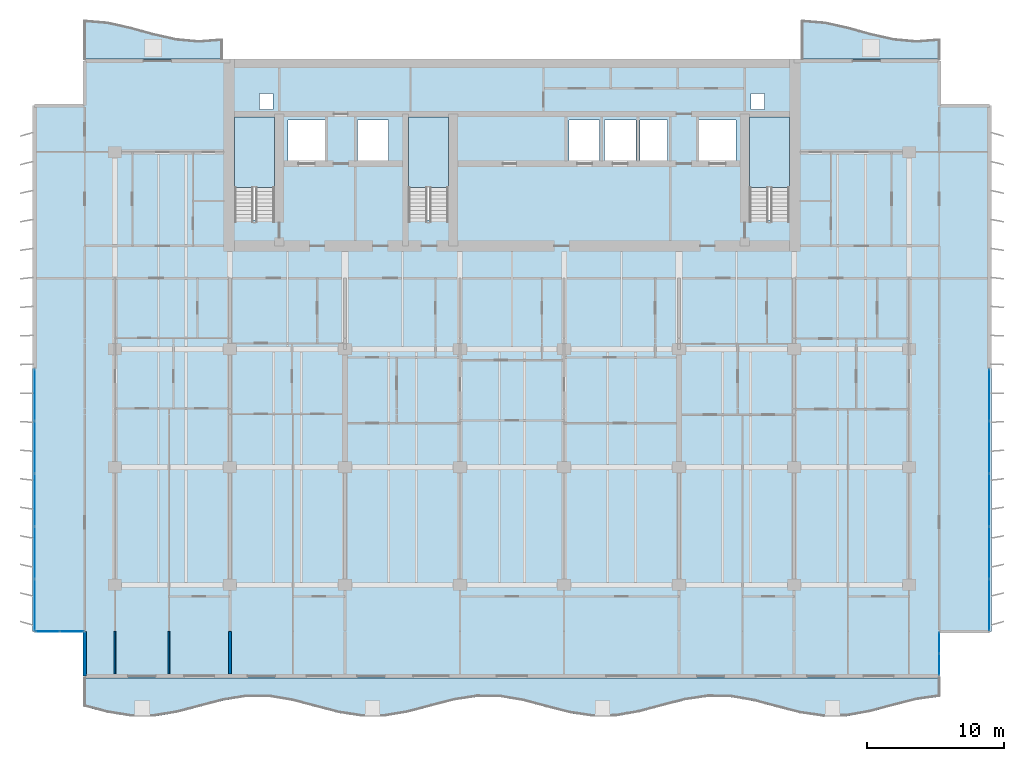
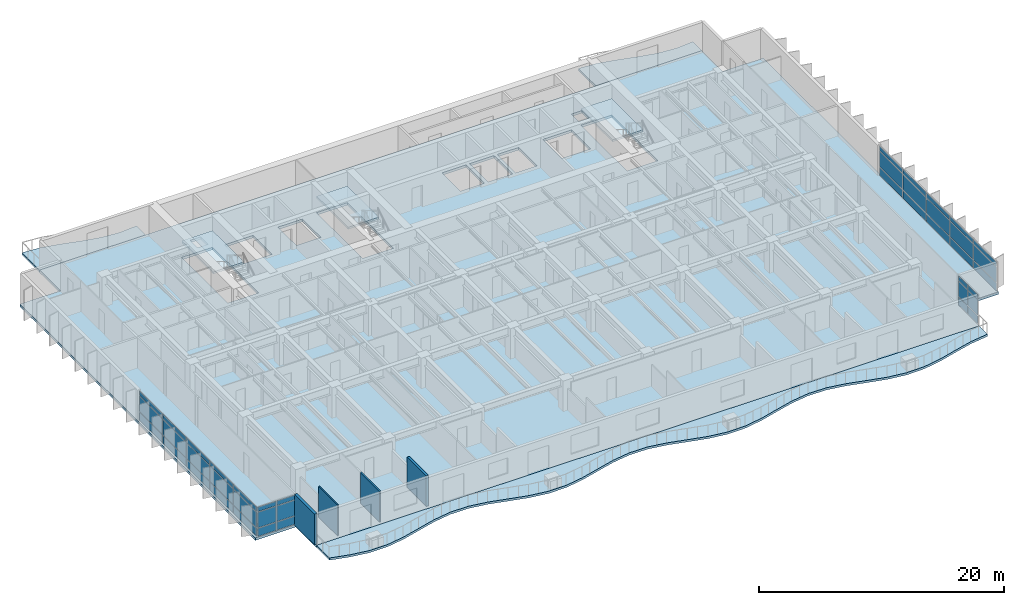
# One storey, part 5 of 16: 42 plates, 7 slabs, 4 walls, 7 elements without a shape of their own.
"""IFC4 building model written with IfcOpenShell, lengths in metres."""

from ifc_helpers import new_model, si_unit, direction, frame, frame_2d, origin, origin_2d, place, context, subcontext, project, spatial, polyline, rectangle, outline, extrude, material, layer, layer_set, type_object, element, aggregate, save


model = new_model("IFC4")

# Units and contexts
model_context = context("Model", 3, precision=1e-05, world=origin(), true_north=direction((0.0, 1.0)))
body_context = subcontext(model_context, "Body", "Model", "MODEL_VIEW")
ifc_project = project(units=[si_unit("LENGTHUNIT", "METRE"), si_unit("AREAUNIT", "SQUARE_METRE"), si_unit("VOLUMEUNIT", "CUBIC_METRE"), si_unit("PLANEANGLEUNIT", "RADIAN"), si_unit("MASSUNIT", "GRAM", prefix="KILO")], contexts=[model_context])

# Site, building, storey
site_placement = place(None, origin())
site = spatial("IfcSite", under=ifc_project, at=site_placement, CompositionType="ELEMENT")
building_placement = place(site_placement, origin())
building = spatial("IfcBuilding", under=site, at=building_placement, Name="Caelmar Bay Residences", CompositionType="ELEMENT")
storey_placement = place(building_placement, frame((0.0, 0.0, 102.60009765625)))
storey = spatial("IfcBuildingStorey", under=building, at=storey_placement, Name="L27", CompositionType="ELEMENT", Elevation=102.60009765625)

# Curtain wall, plates
ifc_material_1 = material(Name="Anodised bronze aluminium 6063-T6 and laminated glass", Category="aluminium")
ifc_layer_1 = layer(ifc_material_1, 0.179931640625)
ifc_layer_set_1 = layer_set([ifc_layer_1], Name="Anodised bronze aluminium 6063-T6 and laminated glass")
curtain_wall_type_1 = type_object("IfcCurtainWallType", Name="CW6-NTC", PredefinedType="NOTDEFINED", material=ifc_layer_set_1)
curtain_wall_1_placement = place(storey_placement, origin())
curtain_wall_1 = element("IfcCurtainWall", 1, at=curtain_wall_1_placement, inside=storey, type_object=curtain_wall_type_1, Name="CW6 curtain wall L27", PredefinedType="NOTDEFINED")
ifc_material_2 = material(Name="Bronze-tinted laminated low-E hurricane glass 28 mm", Category="glass")
ifc_layer_2 = layer(ifc_material_2, 0.028076171875)
ifc_layer_set_2 = layer_set([ifc_layer_2], Name="Bronze-tinted laminated low-E hurricane glass 28 mm")
plate_type = type_object("IfcPlateType", Name="CWP-GLZ28", PredefinedType="CURTAIN_PANEL", material=ifc_layer_set_2)
plate_1_placement = place(storey_placement, frame((4.982421875, 8.800048828125, 0.080078125), z_axis=(0.0, 0.0, 1.0), x_axis=(1.0, 0.0, 0.0)))
plate_1 = element("IfcPlate", 2, at=plate_1_placement, type_object=plate_type, Name="CW6 panel 1.1", PredefinedType="CURTAIN_PANEL", context=body_context, shape_type="SweptSolid", body=[
    extrude(rectangle(XDim=1.705078125, YDim=0.028076171875, at=origin_2d()), origin(), (0.0, 0.0, 1.0), 0.780029296875),
])
plate_2_placement = place(storey_placement, frame((4.982421875, 8.800048828125, 0.93994140625), z_axis=(0.0, 0.0, 1.0), x_axis=(1.0, 0.0, 0.0)))
plate_2 = element("IfcPlate", 3, at=plate_2_placement, type_object=plate_type, Name="CW6 panel 1.2", PredefinedType="CURTAIN_PANEL", context=body_context, shape_type="SweptSolid", body=[
    extrude(rectangle(XDim=1.705078125, YDim=0.028076171875, at=origin_2d()), origin(), (0.0, 0.0, 1.0), 1.52001953125),
])
plate_3_placement = place(storey_placement, frame((4.982421875, 8.800048828125, 2.5400390625), z_axis=(0.0, 0.0, 1.0), x_axis=(1.0, 0.0, 0.0)))
plate_3 = element("IfcPlate", 4, at=plate_3_placement, type_object=plate_type, Name="CW6 panel 1.3", PredefinedType="CURTAIN_PANEL", context=body_context, shape_type="SweptSolid", body=[
    extrude(rectangle(XDim=1.705078125, YDim=0.028076171875, at=origin_2d()), origin(), (0.0, 0.0, 1.0), 0.429931640625),
])
plate_4_placement = place(storey_placement, frame((6.767578125, 8.800048828125, 0.080078125), z_axis=(0.0, 0.0, 1.0), x_axis=(1.0, 0.0, 0.0)))
plate_4 = element("IfcPlate", 5, at=plate_4_placement, type_object=plate_type, Name="CW6 panel 2.1", PredefinedType="CURTAIN_PANEL", context=body_context, shape_type="SweptSolid", body=[
    extrude(rectangle(XDim=1.705078125, YDim=0.028076171875, at=origin_2d()), origin(), (0.0, 0.0, 1.0), 0.780029296875),
])
plate_5_placement = place(storey_placement, frame((6.767578125, 8.800048828125, 0.93994140625), z_axis=(0.0, 0.0, 1.0), x_axis=(1.0, 0.0, 0.0)))
plate_5 = element("IfcPlate", 6, at=plate_5_placement, type_object=plate_type, Name="CW6 panel 2.2", PredefinedType="CURTAIN_PANEL", context=body_context, shape_type="SweptSolid", body=[
    extrude(rectangle(XDim=1.705078125, YDim=0.028076171875, at=origin_2d()), origin(), (0.0, 0.0, 1.0), 1.52001953125),
])
plate_6_placement = place(storey_placement, frame((6.767578125, 8.800048828125, 2.5400390625), z_axis=(0.0, 0.0, 1.0), x_axis=(1.0, 0.0, 0.0)))
plate_6 = element("IfcPlate", 7, at=plate_6_placement, type_object=plate_type, Name="CW6 panel 2.3", PredefinedType="CURTAIN_PANEL", context=body_context, shape_type="SweptSolid", body=[
    extrude(rectangle(XDim=1.705078125, YDim=0.028076171875, at=origin_2d()), origin(), (0.0, 0.0, 1.0), 0.429931640625),
])
aggregate(curtain_wall_1, [plate_1, plate_2, plate_3, plate_4, plate_5, plate_6])

curtain_wall_2_placement = place(storey_placement, origin())
curtain_wall_2 = element("IfcCurtainWall", 8, at=curtain_wall_2_placement, inside=storey, type_object=curtain_wall_type_1, Name="CW6 curtain wall L27", PredefinedType="NOTDEFINED")
plate_7_placement = place(storey_placement, frame((70.10009765625, 6.382568359375, 0.080078125), z_axis=(0.0, 0.0, 1.0), x_axis=(0.0, 1.0, 0.0)))
plate_7 = element("IfcPlate", 9, at=plate_7_placement, type_object=plate_type, Name="CW6 panel 1.1", PredefinedType="CURTAIN_PANEL", context=body_context, shape_type="SweptSolid", body=[
    extrude(rectangle(XDim=1.5048828125, YDim=0.028076171875, at=origin_2d()), origin(), (0.0, 0.0, 1.0), 0.780029296875),
])
plate_8_placement = place(storey_placement, frame((70.10009765625, 6.382568359375, 0.93994140625), z_axis=(0.0, 0.0, 1.0), x_axis=(0.0, 1.0, 0.0)))
plate_8 = element("IfcPlate", 10, at=plate_8_placement, type_object=plate_type, Name="CW6 panel 1.2", PredefinedType="CURTAIN_PANEL", context=body_context, shape_type="SweptSolid", body=[
    extrude(rectangle(XDim=1.5048828125, YDim=0.028076171875, at=origin_2d()), origin(), (0.0, 0.0, 1.0), 1.52001953125),
])
plate_9_placement = place(storey_placement, frame((70.10009765625, 6.382568359375, 2.5400390625), z_axis=(0.0, 0.0, 1.0), x_axis=(0.0, 1.0, 0.0)))
plate_9 = element("IfcPlate", 11, at=plate_9_placement, type_object=plate_type, Name="CW6 panel 1.3", PredefinedType="CURTAIN_PANEL", context=body_context, shape_type="SweptSolid", body=[
    extrude(rectangle(XDim=1.5048828125, YDim=0.028076171875, at=origin_2d()), origin(), (0.0, 0.0, 1.0), 0.429931640625),
])
plate_10_placement = place(storey_placement, frame((70.10009765625, 7.967529296875, 0.080078125), z_axis=(0.0, 0.0, 1.0), x_axis=(0.0, 1.0, 0.0)))
plate_10 = element("IfcPlate", 12, at=plate_10_placement, type_object=plate_type, Name="CW6 panel 2.1", PredefinedType="CURTAIN_PANEL", context=body_context, shape_type="SweptSolid", body=[
    extrude(rectangle(XDim=1.5048828125, YDim=0.028076171875, at=origin_2d()), origin(), (0.0, 0.0, 1.0), 0.780029296875),
])
plate_11_placement = place(storey_placement, frame((70.10009765625, 7.967529296875, 0.93994140625), z_axis=(0.0, 0.0, 1.0), x_axis=(0.0, 1.0, 0.0)))
plate_11 = element("IfcPlate", 13, at=plate_11_placement, type_object=plate_type, Name="CW6 panel 2.2", PredefinedType="CURTAIN_PANEL", context=body_context, shape_type="SweptSolid", body=[
    extrude(rectangle(XDim=1.5048828125, YDim=0.028076171875, at=origin_2d()), origin(), (0.0, 0.0, 1.0), 1.52001953125),
])
plate_12_placement = place(storey_placement, frame((70.10009765625, 7.967529296875, 2.5400390625), z_axis=(0.0, 0.0, 1.0), x_axis=(0.0, 1.0, 0.0)))
plate_12 = element("IfcPlate", 14, at=plate_12_placement, type_object=plate_type, Name="CW6 panel 2.3", PredefinedType="CURTAIN_PANEL", context=body_context, shape_type="SweptSolid", body=[
    extrude(rectangle(XDim=1.5048828125, YDim=0.028076171875, at=origin_2d()), origin(), (0.0, 0.0, 1.0), 0.429931640625),
])
aggregate(curtain_wall_2, [plate_7, plate_8, plate_9, plate_10, plate_11, plate_12])

ifc_layer_3 = layer(ifc_material_1, 0.179931640625)
ifc_layer_set_3 = layer_set([ifc_layer_3], Name="Anodised bronze aluminium 6063-T6 and laminated glass")
curtain_wall_type_2 = type_object("IfcCurtainWallType", Name="CW3-Z2", PredefinedType="NOTDEFINED", material=ifc_layer_set_3)
curtain_wall_3_placement = place(storey_placement, origin())
curtain_wall_3 = element("IfcCurtainWall", 15, at=curtain_wall_3_placement, inside=storey, type_object=curtain_wall_type_2, Name="CW3 curtain wall L27", PredefinedType="NOTDEFINED")
plate_13_placement = place(storey_placement, frame((4.050048828125, 10.739990234375, 0.080078125), z_axis=(0.0, 0.0, 1.0), x_axis=(0.0, 1.0, 0.0)))
plate_13 = element("IfcPlate", 16, at=plate_13_placement, type_object=plate_type, Name="CW3 panel 1.1", PredefinedType="CURTAIN_PANEL", context=body_context, shape_type="SweptSolid", body=[
    extrude(rectangle(XDim=3.719970703125, YDim=0.028076171875, at=origin_2d()), origin(), (0.0, 0.0, 1.0), 0.780029296875),
])
plate_14_placement = place(storey_placement, frame((4.050048828125, 10.739990234375, 0.93994140625), z_axis=(0.0, 0.0, 1.0), x_axis=(0.0, 1.0, 0.0)))
plate_14 = element("IfcPlate", 17, at=plate_14_placement, type_object=plate_type, Name="CW3 panel 1.2", PredefinedType="CURTAIN_PANEL", context=body_context, shape_type="SweptSolid", body=[
    extrude(rectangle(XDim=3.719970703125, YDim=0.028076171875, at=origin_2d()), origin(), (0.0, 0.0, 1.0), 1.52001953125),
])
plate_15_placement = place(storey_placement, frame((4.050048828125, 10.739990234375, 2.5400390625), z_axis=(0.0, 0.0, 1.0), x_axis=(0.0, 1.0, 0.0)))
plate_15 = element("IfcPlate", 18, at=plate_15_placement, type_object=plate_type, Name="CW3 panel 1.3", PredefinedType="CURTAIN_PANEL", context=body_context, shape_type="SweptSolid", body=[
    extrude(rectangle(XDim=3.719970703125, YDim=0.028076171875, at=origin_2d()), origin(), (0.0, 0.0, 1.0), 0.429931640625),
])
plate_16_placement = place(storey_placement, frame((4.050048828125, 14.56005859375, 0.080078125), z_axis=(0.0, 0.0, 1.0), x_axis=(0.0, 1.0, 0.0)))
plate_16 = element("IfcPlate", 19, at=plate_16_placement, type_object=plate_type, Name="CW3 panel 2.1", PredefinedType="CURTAIN_PANEL", context=body_context, shape_type="SweptSolid", body=[
    extrude(rectangle(XDim=3.760009765625, YDim=0.028076171875, at=origin_2d()), origin(), (0.0, 0.0, 1.0), 0.780029296875),
])
plate_17_placement = place(storey_placement, frame((4.050048828125, 14.56005859375, 0.93994140625), z_axis=(0.0, 0.0, 1.0), x_axis=(0.0, 1.0, 0.0)))
plate_17 = element("IfcPlate", 20, at=plate_17_placement, type_object=plate_type, Name="CW3 panel 2.2", PredefinedType="CURTAIN_PANEL", context=body_context, shape_type="SweptSolid", body=[
    extrude(rectangle(XDim=3.760009765625, YDim=0.028076171875, at=origin_2d()), origin(), (0.0, 0.0, 1.0), 1.52001953125),
])
plate_18_placement = place(storey_placement, frame((4.050048828125, 14.56005859375, 2.5400390625), z_axis=(0.0, 0.0, 1.0), x_axis=(0.0, 1.0, 0.0)))
plate_18 = element("IfcPlate", 21, at=plate_18_placement, type_object=plate_type, Name="CW3 panel 2.3", PredefinedType="CURTAIN_PANEL", context=body_context, shape_type="SweptSolid", body=[
    extrude(rectangle(XDim=3.760009765625, YDim=0.028076171875, at=origin_2d()), origin(), (0.0, 0.0, 1.0), 0.429931640625),
])
plate_19_placement = place(storey_placement, frame((4.050048828125, 18.39990234375, 0.080078125), z_axis=(0.0, 0.0, 1.0), x_axis=(0.0, 1.0, 0.0)))
plate_19 = element("IfcPlate", 22, at=plate_19_placement, type_object=plate_type, Name="CW3 panel 3.1", PredefinedType="CURTAIN_PANEL", context=body_context, shape_type="SweptSolid", body=[
    extrude(rectangle(XDim=3.760009765625, YDim=0.028076171875, at=origin_2d()), origin(), (0.0, 0.0, 1.0), 0.780029296875),
])
plate_20_placement = place(storey_placement, frame((4.050048828125, 18.39990234375, 0.93994140625), z_axis=(0.0, 0.0, 1.0), x_axis=(0.0, 1.0, 0.0)))
plate_20 = element("IfcPlate", 23, at=plate_20_placement, type_object=plate_type, Name="CW3 panel 3.2", PredefinedType="CURTAIN_PANEL", context=body_context, shape_type="SweptSolid", body=[
    extrude(rectangle(XDim=3.760009765625, YDim=0.028076171875, at=origin_2d()), origin(), (0.0, 0.0, 1.0), 1.52001953125),
])
plate_21_placement = place(storey_placement, frame((4.050048828125, 18.39990234375, 2.5400390625), z_axis=(0.0, 0.0, 1.0), x_axis=(0.0, 1.0, 0.0)))
plate_21 = element("IfcPlate", 24, at=plate_21_placement, type_object=plate_type, Name="CW3 panel 3.3", PredefinedType="CURTAIN_PANEL", context=body_context, shape_type="SweptSolid", body=[
    extrude(rectangle(XDim=3.760009765625, YDim=0.028076171875, at=origin_2d()), origin(), (0.0, 0.0, 1.0), 0.429931640625),
])
plate_22_placement = place(storey_placement, frame((4.050048828125, 22.239990234375, 0.080078125), z_axis=(0.0, 0.0, 1.0), x_axis=(0.0, 1.0, 0.0)))
plate_22 = element("IfcPlate", 25, at=plate_22_placement, type_object=plate_type, Name="CW3 panel 4.1", PredefinedType="CURTAIN_PANEL", context=body_context, shape_type="SweptSolid", body=[
    extrude(rectangle(XDim=3.760009765625, YDim=0.028076171875, at=origin_2d()), origin(), (0.0, 0.0, 1.0), 0.780029296875),
])
plate_23_placement = place(storey_placement, frame((4.050048828125, 22.239990234375, 0.93994140625), z_axis=(0.0, 0.0, 1.0), x_axis=(0.0, 1.0, 0.0)))
plate_23 = element("IfcPlate", 26, at=plate_23_placement, type_object=plate_type, Name="CW3 panel 4.2", PredefinedType="CURTAIN_PANEL", context=body_context, shape_type="SweptSolid", body=[
    extrude(rectangle(XDim=3.760009765625, YDim=0.028076171875, at=origin_2d()), origin(), (0.0, 0.0, 1.0), 1.52001953125),
])
plate_24_placement = place(storey_placement, frame((4.050048828125, 22.239990234375, 2.5400390625), z_axis=(0.0, 0.0, 1.0), x_axis=(0.0, 1.0, 0.0)))
plate_24 = element("IfcPlate", 27, at=plate_24_placement, type_object=plate_type, Name="CW3 panel 4.3", PredefinedType="CURTAIN_PANEL", context=body_context, shape_type="SweptSolid", body=[
    extrude(rectangle(XDim=3.760009765625, YDim=0.028076171875, at=origin_2d()), origin(), (0.0, 0.0, 1.0), 0.429931640625),
])
plate_25_placement = place(storey_placement, frame((4.050048828125, 26.06005859375, 0.080078125), z_axis=(0.0, 0.0, 1.0), x_axis=(0.0, 1.0, 0.0)))
plate_25 = element("IfcPlate", 28, at=plate_25_placement, type_object=plate_type, Name="CW3 panel 5.1", PredefinedType="CURTAIN_PANEL", context=body_context, shape_type="SweptSolid", body=[
    extrude(rectangle(XDim=3.719970703125, YDim=0.028076171875, at=origin_2d()), origin(), (0.0, 0.0, 1.0), 0.780029296875),
])
plate_26_placement = place(storey_placement, frame((4.050048828125, 26.06005859375, 0.93994140625), z_axis=(0.0, 0.0, 1.0), x_axis=(0.0, 1.0, 0.0)))
plate_26 = element("IfcPlate", 29, at=plate_26_placement, type_object=plate_type, Name="CW3 panel 5.2", PredefinedType="CURTAIN_PANEL", context=body_context, shape_type="SweptSolid", body=[
    extrude(rectangle(XDim=3.719970703125, YDim=0.028076171875, at=origin_2d()), origin(), (0.0, 0.0, 1.0), 1.52001953125),
])
plate_27_placement = place(storey_placement, frame((4.050048828125, 26.06005859375, 2.5400390625), z_axis=(0.0, 0.0, 1.0), x_axis=(0.0, 1.0, 0.0)))
plate_27 = element("IfcPlate", 30, at=plate_27_placement, type_object=plate_type, Name="CW3 panel 5.3", PredefinedType="CURTAIN_PANEL", context=body_context, shape_type="SweptSolid", body=[
    extrude(rectangle(XDim=3.719970703125, YDim=0.028076171875, at=origin_2d()), origin(), (0.0, 0.0, 1.0), 0.429931640625),
])
aggregate(curtain_wall_3, [plate_13, plate_14, plate_15, plate_16, plate_17, plate_18, plate_19, plate_20, plate_21, plate_22, plate_23, plate_24, plate_25, plate_26, plate_27])

curtain_wall_4_placement = place(storey_placement, origin())
curtain_wall_4 = element("IfcCurtainWall", 31, at=curtain_wall_4_placement, inside=storey, type_object=curtain_wall_type_2, Name="CW3 curtain wall L27", PredefinedType="NOTDEFINED")
plate_28_placement = place(storey_placement, frame((73.75, 26.06005859375, 0.080078125), z_axis=(0.0, 0.0, 1.0), x_axis=(0.0, -1.0, 0.0)))
plate_28 = element("IfcPlate", 32, at=plate_28_placement, type_object=plate_type, Name="CW3 panel 1.1", PredefinedType="CURTAIN_PANEL", context=body_context, shape_type="SweptSolid", body=[
    extrude(rectangle(XDim=3.719970703125, YDim=0.028076171875, at=origin_2d()), origin(), (0.0, 0.0, 1.0), 0.780029296875),
])
plate_29_placement = place(storey_placement, frame((73.75, 26.06005859375, 0.93994140625), z_axis=(0.0, 0.0, 1.0), x_axis=(0.0, -1.0, 0.0)))
plate_29 = element("IfcPlate", 33, at=plate_29_placement, type_object=plate_type, Name="CW3 panel 1.2", PredefinedType="CURTAIN_PANEL", context=body_context, shape_type="SweptSolid", body=[
    extrude(rectangle(XDim=3.719970703125, YDim=0.028076171875, at=origin_2d()), origin(), (0.0, 0.0, 1.0), 1.52001953125),
])
plate_30_placement = place(storey_placement, frame((73.75, 26.06005859375, 2.5400390625), z_axis=(0.0, 0.0, 1.0), x_axis=(0.0, -1.0, 0.0)))
plate_30 = element("IfcPlate", 34, at=plate_30_placement, type_object=plate_type, Name="CW3 panel 1.3", PredefinedType="CURTAIN_PANEL", context=body_context, shape_type="SweptSolid", body=[
    extrude(rectangle(XDim=3.719970703125, YDim=0.028076171875, at=origin_2d()), origin(), (0.0, 0.0, 1.0), 0.429931640625),
])
plate_31_placement = place(storey_placement, frame((73.75, 22.239990234375, 0.080078125), z_axis=(0.0, 0.0, 1.0), x_axis=(0.0, -1.0, 0.0)))
plate_31 = element("IfcPlate", 35, at=plate_31_placement, type_object=plate_type, Name="CW3 panel 2.1", PredefinedType="CURTAIN_PANEL", context=body_context, shape_type="SweptSolid", body=[
    extrude(rectangle(XDim=3.760009765625, YDim=0.028076171875, at=origin_2d()), origin(), (0.0, 0.0, 1.0), 0.780029296875),
])
plate_32_placement = place(storey_placement, frame((73.75, 22.239990234375, 0.93994140625), z_axis=(0.0, 0.0, 1.0), x_axis=(0.0, -1.0, 0.0)))
plate_32 = element("IfcPlate", 36, at=plate_32_placement, type_object=plate_type, Name="CW3 panel 2.2", PredefinedType="CURTAIN_PANEL", context=body_context, shape_type="SweptSolid", body=[
    extrude(rectangle(XDim=3.760009765625, YDim=0.028076171875, at=origin_2d()), origin(), (0.0, 0.0, 1.0), 1.52001953125),
])
plate_33_placement = place(storey_placement, frame((73.75, 22.239990234375, 2.5400390625), z_axis=(0.0, 0.0, 1.0), x_axis=(0.0, -1.0, 0.0)))
plate_33 = element("IfcPlate", 37, at=plate_33_placement, type_object=plate_type, Name="CW3 panel 2.3", PredefinedType="CURTAIN_PANEL", context=body_context, shape_type="SweptSolid", body=[
    extrude(rectangle(XDim=3.760009765625, YDim=0.028076171875, at=origin_2d()), origin(), (0.0, 0.0, 1.0), 0.429931640625),
])
plate_34_placement = place(storey_placement, frame((73.75, 18.39990234375, 0.080078125), z_axis=(0.0, 0.0, 1.0), x_axis=(0.0, -1.0, 0.0)))
plate_34 = element("IfcPlate", 38, at=plate_34_placement, type_object=plate_type, Name="CW3 panel 3.1", PredefinedType="CURTAIN_PANEL", context=body_context, shape_type="SweptSolid", body=[
    extrude(rectangle(XDim=3.760009765625, YDim=0.028076171875, at=origin_2d()), origin(), (0.0, 0.0, 1.0), 0.780029296875),
])
plate_35_placement = place(storey_placement, frame((73.75, 18.39990234375, 0.93994140625), z_axis=(0.0, 0.0, 1.0), x_axis=(0.0, -1.0, 0.0)))
plate_35 = element("IfcPlate", 39, at=plate_35_placement, type_object=plate_type, Name="CW3 panel 3.2", PredefinedType="CURTAIN_PANEL", context=body_context, shape_type="SweptSolid", body=[
    extrude(rectangle(XDim=3.760009765625, YDim=0.028076171875, at=origin_2d()), origin(), (0.0, 0.0, 1.0), 1.52001953125),
])
plate_36_placement = place(storey_placement, frame((73.75, 18.39990234375, 2.5400390625), z_axis=(0.0, 0.0, 1.0), x_axis=(0.0, -1.0, 0.0)))
plate_36 = element("IfcPlate", 40, at=plate_36_placement, type_object=plate_type, Name="CW3 panel 3.3", PredefinedType="CURTAIN_PANEL", context=body_context, shape_type="SweptSolid", body=[
    extrude(rectangle(XDim=3.760009765625, YDim=0.028076171875, at=origin_2d()), origin(), (0.0, 0.0, 1.0), 0.429931640625),
])
plate_37_placement = place(storey_placement, frame((73.75, 14.56005859375, 0.080078125), z_axis=(0.0, 0.0, 1.0), x_axis=(0.0, -1.0, 0.0)))
plate_37 = element("IfcPlate", 41, at=plate_37_placement, type_object=plate_type, Name="CW3 panel 4.1", PredefinedType="CURTAIN_PANEL", context=body_context, shape_type="SweptSolid", body=[
    extrude(rectangle(XDim=3.760009765625, YDim=0.028076171875, at=origin_2d()), origin(), (0.0, 0.0, 1.0), 0.780029296875),
])
plate_38_placement = place(storey_placement, frame((73.75, 14.56005859375, 0.93994140625), z_axis=(0.0, 0.0, 1.0), x_axis=(0.0, -1.0, 0.0)))
plate_38 = element("IfcPlate", 42, at=plate_38_placement, type_object=plate_type, Name="CW3 panel 4.2", PredefinedType="CURTAIN_PANEL", context=body_context, shape_type="SweptSolid", body=[
    extrude(rectangle(XDim=3.760009765625, YDim=0.028076171875, at=origin_2d()), origin(), (0.0, 0.0, 1.0), 1.52001953125),
])
plate_39_placement = place(storey_placement, frame((73.75, 14.56005859375, 2.5400390625), z_axis=(0.0, 0.0, 1.0), x_axis=(0.0, -1.0, 0.0)))
plate_39 = element("IfcPlate", 43, at=plate_39_placement, type_object=plate_type, Name="CW3 panel 4.3", PredefinedType="CURTAIN_PANEL", context=body_context, shape_type="SweptSolid", body=[
    extrude(rectangle(XDim=3.760009765625, YDim=0.028076171875, at=origin_2d()), origin(), (0.0, 0.0, 1.0), 0.429931640625),
])
plate_40_placement = place(storey_placement, frame((73.75, 10.739990234375, 0.080078125), z_axis=(0.0, 0.0, 1.0), x_axis=(0.0, -1.0, 0.0)))
plate_40 = element("IfcPlate", 44, at=plate_40_placement, type_object=plate_type, Name="CW3 panel 5.1", PredefinedType="CURTAIN_PANEL", context=body_context, shape_type="SweptSolid", body=[
    extrude(rectangle(XDim=3.719970703125, YDim=0.028076171875, at=origin_2d()), origin(), (0.0, 0.0, 1.0), 0.780029296875),
])
plate_41_placement = place(storey_placement, frame((73.75, 10.739990234375, 0.93994140625), z_axis=(0.0, 0.0, 1.0), x_axis=(0.0, -1.0, 0.0)))
plate_41 = element("IfcPlate", 45, at=plate_41_placement, type_object=plate_type, Name="CW3 panel 5.2", PredefinedType="CURTAIN_PANEL", context=body_context, shape_type="SweptSolid", body=[
    extrude(rectangle(XDim=3.719970703125, YDim=0.028076171875, at=origin_2d()), origin(), (0.0, 0.0, 1.0), 1.52001953125),
])
plate_42_placement = place(storey_placement, frame((73.75, 10.739990234375, 2.5400390625), z_axis=(0.0, 0.0, 1.0), x_axis=(0.0, -1.0, 0.0)))
plate_42 = element("IfcPlate", 46, at=plate_42_placement, type_object=plate_type, Name="CW3 panel 5.3", PredefinedType="CURTAIN_PANEL", context=body_context, shape_type="SweptSolid", body=[
    extrude(rectangle(XDim=3.719970703125, YDim=0.028076171875, at=origin_2d()), origin(), (0.0, 0.0, 1.0), 0.429931640625),
])
aggregate(curtain_wall_4, [plate_28, plate_29, plate_30, plate_31, plate_32, plate_33, plate_34, plate_35, plate_36, plate_37, plate_38, plate_39, plate_40, plate_41, plate_42])

# Slabs
ifc_material_3 = material(Name="Concrete f'c 40 MPa (6,000 psi)", Category="concrete")
ifc_layer_4 = layer(ifc_material_3, 0.219970703125)
ifc_layer_set_4 = layer_set([ifc_layer_4], Name="Concrete f'c 40 MPa (6,000 psi)")
slab_type_1 = type_object("IfcSlabType", Name="SLB-BAL-220", PredefinedType="FLOOR", material=ifc_layer_set_4)
slab_1_placement = place(storey_placement, frame((0.0, 0.0, -0.22021484375)))
element("IfcSlab", 47, at=slab_1_placement, inside=storey, type_object=slab_type_1, Name="L27 Sinusoidal Tree-Balcony Slab south", PredefinedType="FLOOR", context=body_context, shape_type="SweptSolid", body=[
    extrude(outline(polyline([(7.699951171875, 3.300048828125), (9.386474609375, 2.857666015625), (11.072998046875, 2.585693359375), (12.759521484375, 2.58837890625), (14.44580078125, 2.864990234375), (16.13232421875, 3.30908203125), (17.81884765625, 3.74951171875), (19.50537109375, 4.01708984375), (21.19189453125, 4.0087890625), (22.87841796875, 3.7275390625), (24.56494140625, 3.28173828125), (26.25146484375, 2.843017578125), (27.937744140625, 2.580322265625), (29.624267578125, 2.594482421875), (31.310791015625, 2.8798828125), (32.997314453125, 3.327392578125), (34.683837890625, 3.76416015625), (36.370361328125, 4.022216796875), (38.056884765625, 4.00244140625), (39.7431640625, 3.71240234375), (41.4296875, 3.263671875), (43.1162109375, 2.828857421875), (44.802734375, 2.575439453125), (46.4892578125, 2.6005859375), (48.17578125, 2.895263671875), (49.8623046875, 3.345458984375), (51.548583984375, 3.7783203125), (53.235107421875, 4.02685546875), (54.921630859375, 3.995849609375), (56.608154296875, 3.697021484375), (58.294677734375, 3.24560546875), (59.981201171875, 2.814697265625), (61.66748046875, 2.57080078125), (63.35400390625, 2.607421875), (65.04052734375, 2.91064453125), (66.72705078125, 3.363525390625), (68.41357421875, 3.7919921875), (70.10009765625, 4.03125), (70.10009765625, 5.39990234375), (7.699951171875, 5.39990234375), (7.699951171875, 3.300048828125)])), origin(), (0.0, 0.0, 1.0), 0.22021484375),
])
slab_2_placement = place(storey_placement, frame((0.0, 0.0, -0.22021484375)))
element("IfcSlab", 48, at=slab_2_placement, inside=storey, type_object=slab_type_1, Name="L27 Sinusoidal Tree-Balcony Slab north_west", PredefinedType="FLOOR", context=body_context, shape_type="SweptSolid", body=[
    extrude(outline(polyline([(7.699951171875, 50.60009765625), (17.699951171875, 50.60009765625), (17.699951171875, 52.080322265625), (16.033203125, 51.9501953125), (14.36669921875, 52.10205078125), (12.699951171875, 52.47900390625), (11.033203125, 52.93896484375), (9.36669921875, 53.308837890625), (7.699951171875, 53.449951171875), (7.699951171875, 50.60009765625)])), origin(), (0.0, 0.0, 1.0), 0.22021484375),
])
slab_3_placement = place(storey_placement, frame((0.0, 0.0, -0.22021484375)))
element("IfcSlab", 49, at=slab_3_placement, inside=storey, type_object=slab_type_1, Name="L27 Sinusoidal Tree-Balcony Slab north_east", PredefinedType="FLOOR", context=body_context, shape_type="SweptSolid", body=[
    extrude(outline(polyline([(60.10009765625, 50.60009765625), (70.10009765625, 50.60009765625), (70.10009765625, 52.080322265625), (68.433349609375, 51.9501953125), (66.7666015625, 52.10205078125), (65.10009765625, 52.47900390625), (63.433349609375, 52.93896484375), (61.7666015625, 53.308837890625), (60.10009765625, 53.449951171875), (60.10009765625, 50.60009765625)])), origin(), (0.0, 0.0, 1.0), 0.22021484375),
])

# Stair, slab
stair_type = type_object("IfcStairType", Name="ST-TYP-165", PredefinedType="HALF_TURN_STAIR", material=ifc_material_3)
stair_1_placement = place(storey_placement, origin())
stair_1 = element("IfcStair", 50, at=stair_1_placement, inside=storey, type_object=stair_type, Name="L27 West Smokeproof Exit Stair ST1", PredefinedType="HALF_TURN_STAIR")
ifc_layer_5 = layer(ifc_material_3, 0.199951171875)
ifc_layer_set_5 = layer_set([ifc_layer_5], Name="Concrete f'c 40 MPa (6,000 psi)")
slab_type_2 = type_object("IfcSlabType", Name="SLB-LND-200", PredefinedType="LANDING", material=ifc_layer_set_5)
slab_4_placement = place(storey_placement, frame((0.0, 0.0, 1.449951171875)))
slab_4 = element("IfcSlab", 51, at=slab_4_placement, type_object=slab_type_2, Name="ST1 landing 1", PredefinedType="LANDING", context=body_context, shape_type="SweptSolid", body=[
    extrude(outline(polyline([(21.550048828125, 41.219970703125), (21.550048828125, 46.35009765625), (18.64990234375, 46.35009765625), (18.64990234375, 41.219970703125), (21.550048828125, 41.219970703125)])), origin(), (0.0, 0.0, 1.0), 0.199951171875),
])
aggregate(stair_1, [slab_4])

stair_2_placement = place(storey_placement, origin())
stair_2 = element("IfcStair", 52, at=stair_2_placement, inside=storey, type_object=stair_type, Name="L27 East Smokeproof Exit Stair ST2", PredefinedType="HALF_TURN_STAIR")
slab_5_placement = place(storey_placement, frame((0.0, 0.0, 1.449951171875)))
slab_5 = element("IfcSlab", 53, at=slab_5_placement, type_object=slab_type_2, Name="ST2 landing 1", PredefinedType="LANDING", context=body_context, shape_type="SweptSolid", body=[
    extrude(outline(polyline([(59.14990234375, 41.219970703125), (59.14990234375, 46.35009765625), (56.25, 46.35009765625), (56.25, 41.219970703125), (59.14990234375, 41.219970703125)])), origin(), (0.0, 0.0, 1.0), 0.199951171875),
])
aggregate(stair_2, [slab_5])

stair_3_placement = place(storey_placement, origin())
stair_3 = element("IfcStair", 54, at=stair_3_placement, inside=storey, type_object=stair_type, Name="L27 Central Smokeproof Exit Stair ST3", PredefinedType="HALF_TURN_STAIR")
slab_6_placement = place(storey_placement, frame((0.0, 0.0, 1.449951171875)))
slab_6 = element("IfcSlab", 55, at=slab_6_placement, type_object=slab_type_2, Name="ST3 landing 1", PredefinedType="LANDING", context=body_context, shape_type="SweptSolid", body=[
    extrude(outline(polyline([(34.25, 41.219970703125), (34.25, 46.35009765625), (31.35009765625, 46.35009765625), (31.35009765625, 41.219970703125), (34.25, 41.219970703125)])), origin(), (0.0, 0.0, 1.0), 0.199951171875),
])
aggregate(stair_3, [slab_6])

# Slab
ifc_layer_6 = layer(ifc_material_3, 0.25)
ifc_layer_set_6 = layer_set([ifc_layer_6], Name="Concrete f'c 40 MPa (6,000 psi)")
slab_type_3 = type_object("IfcSlabType", Name="SLB-RES-250", PredefinedType="FLOOR", material=ifc_layer_set_6)
slab_7_placement = place(storey_placement, frame((0.0, 0.0, -0.25)))
element("IfcSlab", 56, at=slab_7_placement, inside=storey, type_object=slab_type_3, Name="L27 Structural Floor Slab", PredefinedType="FLOOR", context=body_context, shape_type="SweptSolid", body=[
    extrude(outline(polyline([(7.699951171875, 5.39990234375), (70.10009765625, 5.39990234375), (70.10009765625, 8.800048828125), (73.89990234375, 8.800048828125), (73.89990234375, 47.199951171875), (70.10009765625, 47.199951171875), (70.10009765625, 50.60009765625), (7.699951171875, 50.60009765625), (7.699951171875, 47.199951171875), (3.89990234375, 47.199951171875), (3.89990234375, 8.800048828125), (7.699951171875, 8.800048828125), (7.699951171875, 5.39990234375)]), holes=[polyline([(18.64990234375, 38.85009765625), (21.550048828125, 38.85009765625), (21.550048828125, 46.35009765625), (18.64990234375, 46.35009765625), (18.64990234375, 38.85009765625)]), polyline([(56.25, 38.85009765625), (59.14990234375, 38.85009765625), (59.14990234375, 46.35009765625), (56.25, 46.35009765625), (56.25, 38.85009765625)]), polyline([(31.35009765625, 38.85009765625), (34.25, 38.85009765625), (34.25, 46.35009765625), (31.35009765625, 46.35009765625), (31.35009765625, 38.85009765625)]), polyline([(22.550048828125, 43.050048828125), (25.25, 43.050048828125), (25.25, 46.14990234375), (22.550048828125, 46.14990234375), (22.550048828125, 43.050048828125)]), polyline([(52.550048828125, 43.050048828125), (55.25, 43.050048828125), (55.25, 46.14990234375), (52.550048828125, 46.14990234375), (52.550048828125, 43.050048828125)]), polyline([(43.050048828125, 43.14990234375), (45.300048828125, 43.14990234375), (45.300048828125, 46.14990234375), (43.050048828125, 46.14990234375), (43.050048828125, 43.14990234375)]), polyline([(45.64990234375, 43.14990234375), (47.949951171875, 43.14990234375), (47.949951171875, 46.14990234375), (45.64990234375, 46.14990234375), (45.64990234375, 43.14990234375)]), polyline([(48.25, 43.14990234375), (50.25, 43.14990234375), (50.25, 46.14990234375), (48.25, 46.14990234375), (48.25, 43.14990234375)]), polyline([(27.60009765625, 43.14990234375), (29.89990234375, 43.14990234375), (29.89990234375, 46.14990234375), (27.60009765625, 46.14990234375), (27.60009765625, 43.14990234375)]), polyline([(20.449951171875, 46.89990234375), (21.449951171875, 46.89990234375), (21.449951171875, 48.10009765625), (20.449951171875, 48.10009765625), (20.449951171875, 46.89990234375)]), polyline([(56.35009765625, 46.89990234375), (57.35009765625, 46.89990234375), (57.35009765625, 48.10009765625), (56.35009765625, 48.10009765625), (56.35009765625, 46.89990234375)])]), origin(), (0.0, 0.0, 1.0), 0.25),
])

# Walls
ifc_material_4 = material(Name="Precast concrete f'c 40 MPa (6,000 psi)", Category="concrete")
ifc_layer_7 = layer(ifc_material_4, 0.25)
ifc_layer_set_7 = layer_set([ifc_layer_7], Name="Precast concrete f'c 40 MPa (6,000 psi)")
wall_type_1 = type_object("IfcWallType", Name="W-EXT-250", PredefinedType="ELEMENTEDWALL", material=ifc_layer_set_7)
wall_1_placement = place(storey_placement, frame((7.699951171875, 8.800048828125, 0.0), z_axis=(0.0, 0.0, 1.0), x_axis=(0.0, -1.0, 0.0)))
element("IfcWall", 57, at=wall_1_placement, inside=storey, type_object=wall_type_1, Name="L27 SW Notch Return Wall", PredefinedType="ELEMENTEDWALL", context=body_context, shape_type="SweptSolid", body=[
    extrude(rectangle(XDim=3.25, YDim=0.25, at=frame_2d((1.625, 0.0))), origin(), (0.0, 0.0, 1.0), 3.0498046875),
])
ifc_material_5 = material(Name="Acoustic metal-stud gypsum partition 120 mm")
ifc_layer_8 = layer(ifc_material_5, 0.1201171875)
ifc_layer_set_8 = layer_set([ifc_layer_8], Name="Acoustic metal-stud gypsum partition 120 mm")
wall_type_2 = type_object("IfcWallType", Name="W-PRT-120", PredefinedType="PARTITIONING", material=ifc_layer_set_8)
for number, where, z_axis, x_axis, name in (
    (58, (9.89990234375, 5.695068359375, 0.0), (0.0, 0.0, 1.0), (0.0, 1.0, 0.0), "L27 Partition Wall V009"),
    (59, (13.847900390625, 5.695068359375, 0.0), (0.0, 0.0, 1.0), (0.0, 1.0, 0.0), "L27 Partition Wall V016"),
):
    element("IfcWall", number, at=place(storey_placement, frame(where, z_axis=z_axis, x_axis=x_axis)), inside=storey, type_object=wall_type_2, Name=name, PredefinedType="PARTITIONING", context=body_context, shape_type="SweptSolid", body=[
        extrude(rectangle(XDim=3.10498046875, YDim=0.1201171875, at=frame_2d((1.552490234375, 0.0))), origin(), (0.0, 0.0, 1.0), 3.0498046875),
    ])
ifc_material_6 = material(Name="Acoustic twin-stud fire-rated inter-tenancy partition 200 mm")
ifc_layer_9 = layer(ifc_material_6, 0.199951171875)
ifc_layer_set_9 = layer_set([ifc_layer_9], Name="Acoustic twin-stud fire-rated inter-tenancy partition 200 mm")
wall_type_3 = type_object("IfcWallType", Name="W-PTY-200", PredefinedType="PARTITIONING", material=ifc_layer_set_9)
wall_2_placement = place(storey_placement, frame((18.300048828125, 5.695068359375, 0.0), z_axis=(0.0, 0.0, 1.0), x_axis=(0.0, 1.0, 0.0)))
element("IfcWall", 60, at=wall_2_placement, inside=storey, type_object=wall_type_3, Name="L27 Partition Wall V023", PredefinedType="PARTITIONING", context=body_context, shape_type="SweptSolid", body=[
    extrude(rectangle(XDim=3.10498046875, YDim=0.199951171875, at=frame_2d((1.552490234375, 0.0))), origin(), (0.0, 0.0, 1.0), 3.0498046875),
])

save(model, "model.ifc")
